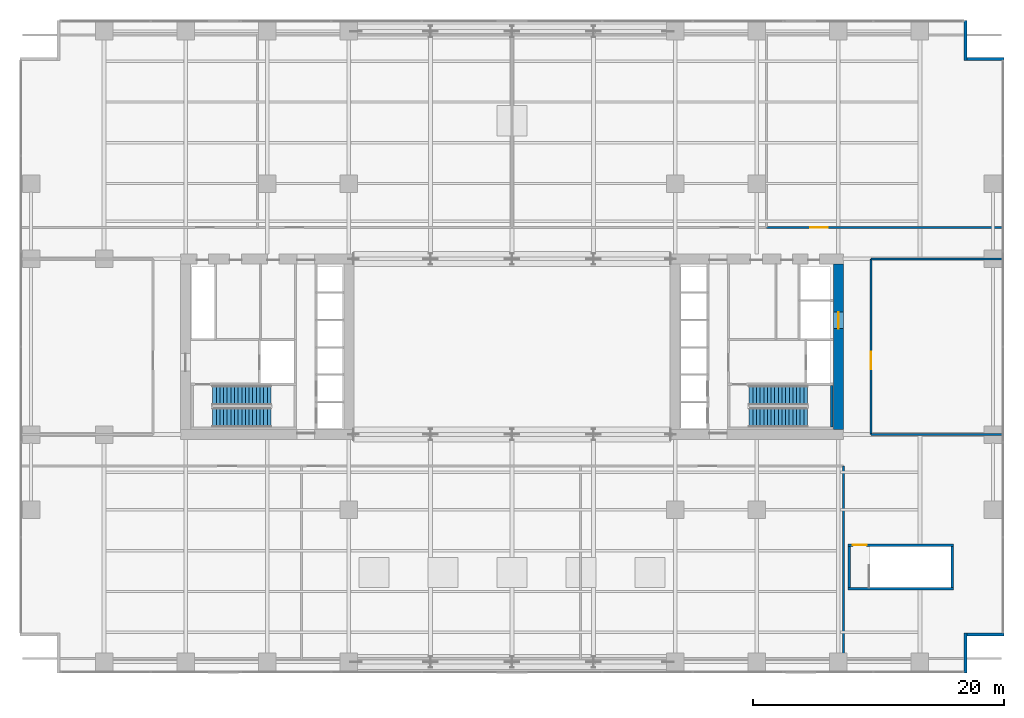
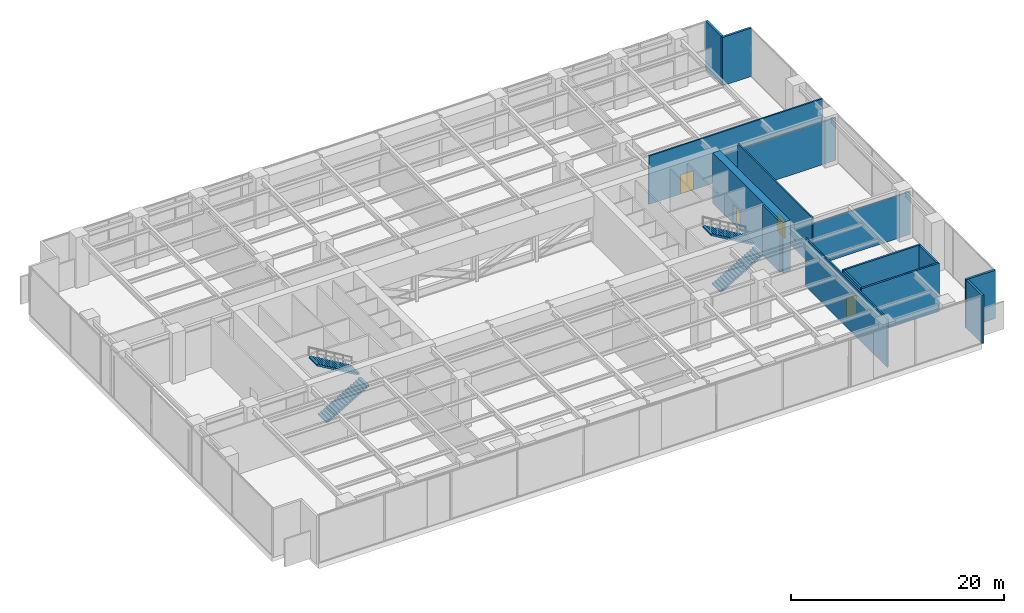
# One storey, part 22 of 25: 15 walls, 4 doors, 4 stair flights, 4 openings, 2 elements without a shape of their own.
"""IFC4 building model written with IfcOpenShell, lengths in metres."""

from ifc_helpers import new_model, si_unit, direction, frame, frame_2d, origin, place, context, subcontext, project, spatial, polyline, rectangle, outline, extrude, material, layer, layer_set, type_object, element, fill, aggregate, save


model = new_model("IFC4")

# Units and contexts
model_context = context("Model", 3, precision=1e-05, world=origin(), true_north=direction((0.0, 1.0)))
body_context = subcontext(model_context, "Body", "Model", "MODEL_VIEW")
ifc_project = project(units=[si_unit("LENGTHUNIT", "METRE"), si_unit("AREAUNIT", "SQUARE_METRE"), si_unit("VOLUMEUNIT", "CUBIC_METRE"), si_unit("PLANEANGLEUNIT", "RADIAN"), si_unit("MASSUNIT", "GRAM", prefix="KILO")], contexts=[model_context])

# Site, building, storey
site_placement = place(None, origin())
site = spatial("IfcSite", under=ifc_project, at=site_placement, CompositionType="ELEMENT")
building_placement = place(site_placement, origin())
building = spatial("IfcBuilding", under=site, at=building_placement, Name="Putna Gate Headquarters", CompositionType="ELEMENT")
storey_placement = place(building_placement, frame((0.0, 0.0, 22.0)))
storey = spatial("IfcBuildingStorey", under=building, at=storey_placement, Name="L04", CompositionType="ELEMENT", Elevation=22.0)

# Wall, opening, door
ifc_material_1 = material(Name="Concrete C60/75", Category="concrete")
ifc_layer_1 = layer(ifc_material_1, 0.800048828125)
ifc_layer_set_1 = layer_set([ifc_layer_1], Name="Concrete C60/75")
wall_type_1 = type_object("IfcWallType", Name="WALL-CORE-800", PredefinedType="SHEAR", material=ifc_layer_set_1)
wall_1_placement = place(storey_placement, frame((65.0, 19.39990234375, 0.0), z_axis=(0.0, 0.0, 1.0), x_axis=(0.0, 1.0, 0.0)))
wall_1 = element("IfcWall", 1, at=wall_1_placement, inside=storey, type_object=wall_type_1, Name="L04 EC Split Core Shear Wall E", PredefinedType="SHEAR", context=body_context, shape_type="SweptSolid", body=[
    extrude(rectangle(XDim=13.2001953125, YDim=0.800048828125, at=frame_2d((6.60009765625, 0.0))), origin(), (0.0, 0.0, 1.0), 5.800048828125),
])
opening_1_placement = place(wall_1_placement, frame((8.050048828125, 0.0, 0.0)))
opening_1 = element("IfcOpeningElement", 2, at=opening_1_placement, cuts=wall_1, Name="Opening LD-2", PredefinedType="OPENING", context=body_context, shape_type="SweptSolid", body=[
    extrude(rectangle(XDim=1.300048828125, YDim=2.199951171875, at=frame_2d((0.64990234375, 1.10009765625))), frame((0.0, 0.409912109375, 0.0), z_axis=(0.0, -1.0, 0.0), x_axis=(1.0, 0.0, 0.0)), (0.0, 0.0, 1.0), 0.820068359375),
])
ifc_material_2 = material(Name="Heavy-duty goods lift sliding landing door")
door_type_1 = type_object("IfcDoorType", Name="DOOR-LIFT-1300", OperationType="DOUBLE_DOOR_SLIDING", PredefinedType="DOOR", material=ifc_material_2)
door_1_placement = place(opening_1_placement, origin())
door_1 = element("IfcDoor", 3, at=door_1_placement, inside=storey, type_object=door_type_1, Name="L04 Goods Lift Landing Door LD-15", OperationType="DOUBLE_DOOR_SLIDING", OverallHeight=2.199951171875, OverallWidth=1.300048828125, PredefinedType="DOOR", context=body_context, shape_type="SweptSolid", body=[
    extrude(rectangle(XDim=1.300048828125, YDim=2.199951171875, at=frame_2d((0.64990234375, 1.10009765625))), frame((0.0, 0.02490234375, 0.0), z_axis=(0.0, -1.0, 0.0), x_axis=(1.0, 0.0, 0.0)), (0.0, 0.0, 1.0), 0.050048828125),
])
fill(opening_1, door_1)

# Walls
ifc_material_3 = material(Name="Precast concrete C40/50", Category="concrete")
ifc_layer_2 = layer(ifc_material_3, 0.239990234375)
ifc_layer_set_2 = layer_set([ifc_layer_2], Name="Precast concrete C40/50")
wall_type_2 = type_object("IfcWallType", Name="WALL-EXT-TERR-240", PredefinedType="STANDARD", material=ifc_layer_set_2)
for number, where, z_axis, x_axis, name in (
    (4, (75.1201171875, 52.0, 0.0), (0.0, 0.0, 1.0), (0.0, -1.0, 0.0), "L04 Corner Notch Return Wall NE-V"),
    (5, (75.0, 48.919921875, 0.0), (0.0, 0.0, 1.0), (1.0, 0.0, 0.0), "L04 Corner Notch Return Wall NE-H"),
    (6, (75.1201171875, 3.199951171875, 0.0), (0.0, 0.0, 1.0), (0.0, -1.0, 0.0), "L04 Corner Notch Return Wall SE-V"),
    (7, (78.199951171875, 3.080078125, 0.0), (0.0, 0.0, 1.0), (-1.0, 0.0, 0.0), "L04 Corner Notch Return Wall SE-H"),
):
    element("IfcWall", number, at=place(storey_placement, frame(where, z_axis=z_axis, x_axis=x_axis)), inside=storey, type_object=wall_type_2, Name=name, PredefinedType="STANDARD", context=body_context, shape_type="SweptSolid", body=[
        extrude(rectangle(XDim=3.199951171875, YDim=0.239990234375, at=frame_2d((1.60009765625, 0.0))), origin(), (0.0, 0.0, 1.0), 5.550048828125),
    ])

# Wall, opening, door
ifc_material_4 = material(Name="Concrete C40/50", Category="concrete")
ifc_layer_3 = layer(ifc_material_4, 0.159912109375)
ifc_layer_set_3 = layer_set([ifc_layer_3], Name="Concrete C40/50")
wall_type_3 = type_object("IfcWallType", Name="WALL-SHAFT-160", PredefinedType="STANDARD", material=ifc_layer_set_3)
wall_2_placement = place(storey_placement, frame((67.60009765625, 19.0, 0.0), z_axis=(0.0, 0.0, 1.0), x_axis=(0.0, 1.0, 0.0)))
wall_2 = element("IfcWall", 8, at=wall_2_placement, inside=storey, type_object=wall_type_3, Name="L04 Interior Wall PART-L04-REFE", PredefinedType="STANDARD", context=body_context, shape_type="SweptSolid", body=[
    extrude(rectangle(XDim=14.0, YDim=0.159912109375, at=frame_2d((7.0, 0.0))), origin(), (0.0, 0.0, 1.0), 5.550048828125),
])
opening_2_placement = place(wall_2_placement, frame((5.199951171875, 0.0, 0.0)))
opening_2 = element("IfcOpeningElement", 9, at=opening_2_placement, cuts=wall_2, Name="Opening FDD-140", PredefinedType="OPENING", context=body_context, shape_type="SweptSolid", body=[
    extrude(rectangle(XDim=1.39990234375, YDim=2.199951171875, at=frame_2d((0.699951171875, 1.10009765625))), frame((0.0, 0.08984375, 0.0), z_axis=(0.0, -1.0, 0.0), x_axis=(1.0, 0.0, 0.0)), (0.0, 0.0, 1.0), 0.179931640625),
])
ifc_material_5 = material(Name="Double steel fire door", Category="steel")
door_type_2 = type_object("IfcDoorType", Name="DOOR-FIRE-DBL-1400", OperationType="DOUBLE_DOOR_SINGLE_SWING", PredefinedType="DOOR", material=ifc_material_5)
door_2_placement = place(opening_2_placement, origin())
door_2 = element("IfcDoor", 10, at=door_2_placement, inside=storey, type_object=door_type_2, Name="L04 East Refuge Area Door", OperationType="DOUBLE_DOOR_SINGLE_SWING", OverallHeight=2.199951171875, OverallWidth=1.39990234375, PredefinedType="DOOR", context=body_context, shape_type="SweptSolid", body=[
    extrude(rectangle(XDim=1.39990234375, YDim=2.199951171875, at=frame_2d((0.699951171875, 1.10009765625))), frame((0.0, 0.02490234375, 0.0), z_axis=(0.0, -1.0, 0.0), x_axis=(1.0, 0.0, 0.0)), (0.0, 0.0, 1.0), 0.050048828125),
])
fill(opening_2, door_2)

# Walls
for number, where, z_axis, x_axis, name in (
    (11, (67.60009765625, 19.0, 0.0), (0.0, 0.0, 1.0), (1.0, 0.0, 0.0), "L04 Interior Wall PART-L04-REFE-S"),
    (12, (67.60009765625, 33.0, 0.0), (0.0, 0.0, 1.0), (1.0, 0.0, 0.0), "L04 Interior Wall PART-L04-REFE-N"),
):
    element("IfcWall", number, at=place(storey_placement, frame(where, z_axis=z_axis, x_axis=x_axis)), inside=storey, type_object=wall_type_3, Name=name, PredefinedType="STANDARD", context=body_context, shape_type="SweptSolid", body=[
        extrude(rectangle(XDim=10.579833984375, YDim=0.159912109375, at=frame_2d((5.2900390625, 0.0))), origin(), (0.0, 0.0, 1.0), 4.89990234375),
    ])

# Wall, opening, door
wall_3_placement = place(storey_placement, frame((59.290283203125, 35.5, 0.0), z_axis=(0.0, 0.0, 1.0), x_axis=(1.0, 0.0, 0.0)))
wall_3 = element("IfcWall", 13, at=wall_3_placement, inside=storey, type_object=wall_type_3, Name="L04 Interior Wall PART-L04-PN-CW4", PredefinedType="STANDARD", context=body_context, shape_type="SweptSolid", body=[
    extrude(rectangle(XDim=18.8896484375, YDim=0.159912109375, at=frame_2d((9.44482421875, 0.0))), origin(), (0.0, 0.0, 1.0), 5.550048828125),
])
opening_3_placement = place(wall_3_placement, frame((3.454833984375, 0.0, 0.0)))
opening_3 = element("IfcOpeningElement", 14, at=opening_3_placement, cuts=wall_3, Name="Opening FDD-140", PredefinedType="OPENING", context=body_context, shape_type="SweptSolid", body=[
    extrude(rectangle(XDim=1.39990234375, YDim=2.199951171875, at=frame_2d((0.699951171875, 1.10009765625))), frame((0.0, 0.08984375, 0.0), z_axis=(0.0, -1.0, 0.0), x_axis=(1.0, 0.0, 0.0)), (0.0, 0.0, 1.0), 0.179931640625),
])
door_3_placement = place(opening_3_placement, origin())
door_3 = element("IfcDoor", 15, at=door_3_placement, inside=storey, type_object=door_type_2, Name="L04 BMS and Telecoms Control Plant Room Door", OperationType="DOUBLE_DOOR_SINGLE_SWING", OverallHeight=2.199951171875, OverallWidth=1.39990234375, PredefinedType="DOOR", context=body_context, shape_type="SweptSolid", body=[
    extrude(rectangle(XDim=1.39990234375, YDim=2.199951171875, at=frame_2d((0.699951171875, 1.10009765625))), frame((0.0, 0.02490234375, 0.0), z_axis=(0.0, -1.0, 0.0), x_axis=(1.0, 0.0, 0.0)), (0.0, 0.0, 1.0), 0.050048828125),
])
fill(opening_3, door_3)

# Walls
wall_4_placement = place(storey_placement, frame((65.419921875, 1.090087890625, 0.0), z_axis=(0.0, 0.0, 1.0), x_axis=(0.0, 1.0, 0.0)))
element("IfcWall", 16, at=wall_4_placement, inside=storey, type_object=wall_type_3, Name="L04 Interior Wall PART-L04-PS-EAST", PredefinedType="STANDARD", context=body_context, shape_type="SweptSolid", body=[
    extrude(rectangle(XDim=15.409912109375, YDim=0.159912109375, at=frame_2d((7.705078125, 0.0))), origin(), (0.0, 0.0, 1.0), 5.550048828125),
])
ifc_layer_4 = layer(ifc_material_4, 0.199951171875)
ifc_layer_set_4 = layer_set([ifc_layer_4], Name="Concrete C40/50")
wall_type_4 = type_object("IfcWallType", Name="WALL-SHAFT-RC200", PredefinedType="SHEAR", material=ifc_layer_set_4)
wall_5_placement = place(storey_placement, frame((64.489990234375, 19.610107421875, 0.0), z_axis=(0.0, 0.0, 1.0), x_axis=(0.0, 1.0, 0.0)))
element("IfcWall", 17, at=wall_5_placement, inside=storey, type_object=wall_type_4, Name="L04 Stair ST2 Structural Shaft Wall E", PredefinedType="SHEAR", context=body_context, shape_type="SweptSolid", body=[
    extrude(rectangle(XDim=3.27978515625, YDim=0.199951171875, at=frame_2d((1.639892578125, 0.0))), origin(), (0.0, 0.0, 1.0), 5.800048828125),
])
wall_6_placement = place(storey_placement, frame((65.760009765625, 6.7099609375, 0.0), z_axis=(0.0, 0.0, 1.0), x_axis=(1.0, 0.0, 0.0)))
element("IfcWall", 18, at=wall_6_placement, inside=storey, type_object=wall_type_4, Name="L04 Stair ST3 Structural Shaft Wall S", PredefinedType="SHEAR", context=body_context, shape_type="SweptSolid", body=[
    extrude(rectangle(XDim=8.429931640625, YDim=0.199951171875, at=frame_2d((4.21484375, 0.0))), origin(), (0.0, 0.0, 1.0), 5.550048828125),
])

# Wall, opening, door
wall_7_placement = place(storey_placement, frame((65.760009765625, 10.18994140625, 0.0), z_axis=(0.0, 0.0, 1.0), x_axis=(1.0, 0.0, 0.0)))
wall_7 = element("IfcWall", 19, at=wall_7_placement, inside=storey, type_object=wall_type_4, Name="L04 Stair ST3 Structural Shaft Wall N", PredefinedType="SHEAR", context=body_context, shape_type="SweptSolid", body=[
    extrude(rectangle(XDim=8.429931640625, YDim=0.199951171875, at=frame_2d((4.21484375, 0.0))), origin(), (0.0, 0.0, 1.0), 5.550048828125),
])
opening_4_placement = place(wall_7_placement, frame((0.39990234375, 0.0, 0.0)))
opening_4 = element("IfcOpeningElement", 20, at=opening_4_placement, cuts=wall_7, Name="Opening FD-110", PredefinedType="OPENING", context=body_context, shape_type="SweptSolid", body=[
    extrude(rectangle(XDim=1.10009765625, YDim=2.14990234375, at=frame_2d((0.550048828125, 1.074951171875))), frame((0.0, 0.10986328125, 0.0), z_axis=(0.0, -1.0, 0.0), x_axis=(1.0, 0.0, 0.0)), (0.0, 0.0, 1.0), 0.219970703125),
])
ifc_material_6 = material(Name="Powder-coated steel fire door", Category="steel")
door_type_3 = type_object("IfcDoorType", Name="DOOR-FIRE-1100", OperationType="NOTDEFINED", PredefinedType="DOOR", material=ifc_material_6)
door_4_placement = place(opening_4_placement, origin())
door_4 = element("IfcDoor", 21, at=door_4_placement, inside=storey, type_object=door_type_3, Name="L04 Escape Stair ST3 Door", OperationType="SINGLE_SWING_RIGHT", OverallHeight=2.14990234375, OverallWidth=1.10009765625, PredefinedType="DOOR", context=body_context, shape_type="SweptSolid", body=[
    extrude(rectangle(XDim=1.10009765625, YDim=2.14990234375, at=frame_2d((0.550048828125, 1.074951171875))), frame((0.0, 0.02490234375, 0.0), z_axis=(0.0, -1.0, 0.0), x_axis=(1.0, 0.0, 0.0)), (0.0, 0.0, 1.0), 0.050048828125),
])
fill(opening_4, door_4)

# Walls
for number, where, z_axis, x_axis, name in (
    (22, (65.860107421875, 6.81005859375, 0.0), (0.0, 0.0, 1.0), (0.0, 1.0, 0.0), "L04 Stair ST3 Structural Shaft Wall W"),
    (23, (74.090087890625, 6.81005859375, 0.0), (0.0, 0.0, 1.0), (0.0, 1.0, 0.0), "L04 Stair ST3 Structural Shaft Wall E"),
):
    element("IfcWall", number, at=place(storey_placement, frame(where, z_axis=z_axis, x_axis=x_axis)), inside=storey, type_object=wall_type_4, Name=name, PredefinedType="SHEAR", context=body_context, shape_type="SweptSolid", body=[
        extrude(rectangle(XDim=3.280029296875, YDim=0.199951171875, at=frame_2d((1.64013671875, 0.0))), origin(), (0.0, 0.0, 1.0), 5.550048828125),
    ])

# Stair, stair flights
stair_type_1 = type_object("IfcStairType", Name="STAIR-ST1", PredefinedType="HALF_TURN_STAIR", material=ifc_material_4)
stair_1_placement = place(storey_placement, origin())
stair_1 = element("IfcStair", 24, at=stair_1_placement, inside=storey, type_object=stair_type_1, Name="L04 West Core Exit Stair ST1", PredefinedType="HALF_TURN_STAIR")
stair_flight_type_1 = type_object("IfcStairFlightType", Name="FLIGHT-ST1", PredefinedType="STRAIGHT", material=ifc_material_4)
stair_flight_1_placement = place(storey_placement, frame((15.14990234375, 20.375, 0.0), z_axis=(0.0, 0.0, 1.0), x_axis=(1.0, 0.0, 0.0)))
stair_flight_1 = element("IfcStairFlight", 25, at=stair_flight_1_placement, type_object=stair_flight_type_1, Name="ST1 flight 1", NumberOfRisers=17, NumberOfTreads=16, PredefinedType="STRAIGHT", RiserHeight=0.170588235, TreadLength=0.29, context=body_context, shape_type="SweptSolid", body=[
    extrude(outline(polyline([(0.0, 0.0), (0.0, 0.170654296875), (0.2900390625, 0.170654296875), (0.2900390625, 0.341064453125), (0.580078125, 0.341064453125), (0.580078125, 0.51171875), (0.8701171875, 0.51171875), (0.8701171875, 0.682373046875), (1.159912109375, 0.682373046875), (1.159912109375, 0.85302734375), (1.449951171875, 0.85302734375), (1.449951171875, 1.0234375), (1.739990234375, 1.0234375), (1.739990234375, 1.194091796875), (2.030029296875, 1.194091796875), (2.030029296875, 1.36474609375), (2.320068359375, 1.36474609375), (2.320068359375, 1.535400390625), (2.610107421875, 1.535400390625), (2.610107421875, 1.705810546875), (2.89990234375, 1.705810546875), (2.89990234375, 1.87646484375), (3.18994140625, 1.87646484375), (3.18994140625, 2.047119140625), (3.47998046875, 2.047119140625), (3.47998046875, 2.217529296875), (3.77001953125, 2.217529296875), (3.77001953125, 2.38818359375), (4.06005859375, 2.38818359375), (4.06005859375, 2.558837890625), (4.35009765625, 2.558837890625), (4.35009765625, 2.7294921875), (4.639892578125, 2.7294921875), (4.639892578125, 2.89990234375), (4.639892578125, 2.555419921875), (0.295654296875, 0.0), (0.0, 0.0)])), frame((0.0, 0.77490234375, 0.0), z_axis=(0.0, -1.0, 0.0), x_axis=(1.0, 0.0, 0.0)), (0.0, 0.0, 1.0), 1.550048828125),
])
stair_flight_2_placement = place(storey_placement, frame((19.7900390625, 22.125, 2.89990234375), z_axis=(0.0, 0.0, 1.0), x_axis=(-1.0, 0.0, 0.0)))
stair_flight_2 = element("IfcStairFlight", 26, at=stair_flight_2_placement, type_object=stair_flight_type_1, Name="ST1 flight 2", NumberOfRisers=17, NumberOfTreads=16, PredefinedType="STRAIGHT", RiserHeight=0.170588235, TreadLength=0.29, context=body_context, shape_type="SweptSolid", body=[
    extrude(outline(polyline([(0.0, 0.0), (0.0, 0.170654296875), (0.2900390625, 0.170654296875), (0.2900390625, 0.341064453125), (0.580078125, 0.341064453125), (0.580078125, 0.51171875), (0.8701171875, 0.51171875), (0.8701171875, 0.682373046875), (1.159912109375, 0.682373046875), (1.159912109375, 0.85302734375), (1.449951171875, 0.85302734375), (1.449951171875, 1.0234375), (1.739990234375, 1.0234375), (1.739990234375, 1.194091796875), (2.030029296875, 1.194091796875), (2.030029296875, 1.36474609375), (2.320068359375, 1.36474609375), (2.320068359375, 1.535400390625), (2.610107421875, 1.535400390625), (2.610107421875, 1.705810546875), (2.89990234375, 1.705810546875), (2.89990234375, 1.87646484375), (3.18994140625, 1.87646484375), (3.18994140625, 2.047119140625), (3.47998046875, 2.047119140625), (3.47998046875, 2.217529296875), (3.77001953125, 2.217529296875), (3.77001953125, 2.38818359375), (4.06005859375, 2.38818359375), (4.06005859375, 2.558837890625), (4.35009765625, 2.558837890625), (4.35009765625, 2.7294921875), (4.639892578125, 2.7294921875), (4.639892578125, 2.89990234375), (4.639892578125, 2.555419921875), (0.295654296875, 0.0), (0.0, 0.0)])), frame((0.0, 0.77490234375, 0.0), z_axis=(0.0, -1.0, 0.0), x_axis=(1.0, 0.0, 0.0)), (0.0, 0.0, 1.0), 1.550048828125),
])
aggregate(stair_1, [stair_flight_1, stair_flight_2])

stair_type_2 = type_object("IfcStairType", Name="STAIR-ST2", PredefinedType="HALF_TURN_STAIR", material=ifc_material_4)
stair_2_placement = place(storey_placement, origin())
stair_2 = element("IfcStair", 27, at=stair_2_placement, inside=storey, type_object=stair_type_2, Name="L04 East Core Exit Stair ST2", PredefinedType="HALF_TURN_STAIR")
stair_flight_type_2 = type_object("IfcStairFlightType", Name="FLIGHT-ST2", PredefinedType="STRAIGHT", material=ifc_material_4)
stair_flight_3_placement = place(storey_placement, frame((57.89990234375, 20.375, 0.0), z_axis=(0.0, 0.0, 1.0), x_axis=(1.0, 0.0, 0.0)))
stair_flight_3 = element("IfcStairFlight", 28, at=stair_flight_3_placement, type_object=stair_flight_type_2, Name="ST2 flight 1", NumberOfRisers=17, NumberOfTreads=16, PredefinedType="STRAIGHT", RiserHeight=0.170588235, TreadLength=0.29, context=body_context, shape_type="SweptSolid", body=[
    extrude(outline(polyline([(0.0, 0.0), (0.0, 0.170654296875), (0.2900390625, 0.170654296875), (0.2900390625, 0.341064453125), (0.580078125, 0.341064453125), (0.580078125, 0.51171875), (0.8701171875, 0.51171875), (0.8701171875, 0.682373046875), (1.159912109375, 0.682373046875), (1.159912109375, 0.85302734375), (1.449951171875, 0.85302734375), (1.449951171875, 1.0234375), (1.739990234375, 1.0234375), (1.739990234375, 1.194091796875), (2.030029296875, 1.194091796875), (2.030029296875, 1.36474609375), (2.320068359375, 1.36474609375), (2.320068359375, 1.535400390625), (2.610107421875, 1.535400390625), (2.610107421875, 1.705810546875), (2.89990234375, 1.705810546875), (2.89990234375, 1.87646484375), (3.18994140625, 1.87646484375), (3.18994140625, 2.047119140625), (3.47998046875, 2.047119140625), (3.47998046875, 2.217529296875), (3.77001953125, 2.217529296875), (3.77001953125, 2.38818359375), (4.06005859375, 2.38818359375), (4.06005859375, 2.558837890625), (4.35009765625, 2.558837890625), (4.35009765625, 2.7294921875), (4.639892578125, 2.7294921875), (4.639892578125, 2.89990234375), (4.639892578125, 2.555419921875), (0.295654296875, 0.0), (0.0, 0.0)])), frame((0.0, 0.77490234375, 0.0), z_axis=(0.0, -1.0, 0.0), x_axis=(1.0, 0.0, 0.0)), (0.0, 0.0, 1.0), 1.550048828125),
])
stair_flight_4_placement = place(storey_placement, frame((62.5400390625, 22.125, 2.89990234375), z_axis=(0.0, 0.0, 1.0), x_axis=(-1.0, 0.0, 0.0)))
stair_flight_4 = element("IfcStairFlight", 29, at=stair_flight_4_placement, type_object=stair_flight_type_2, Name="ST2 flight 2", NumberOfRisers=17, NumberOfTreads=16, PredefinedType="STRAIGHT", RiserHeight=0.170588235, TreadLength=0.29, context=body_context, shape_type="SweptSolid", body=[
    extrude(outline(polyline([(0.0, 0.0), (0.0, 0.170654296875), (0.2900390625, 0.170654296875), (0.2900390625, 0.341064453125), (0.580078125, 0.341064453125), (0.580078125, 0.51171875), (0.8701171875, 0.51171875), (0.8701171875, 0.682373046875), (1.159912109375, 0.682373046875), (1.159912109375, 0.85302734375), (1.449951171875, 0.85302734375), (1.449951171875, 1.0234375), (1.739990234375, 1.0234375), (1.739990234375, 1.194091796875), (2.030029296875, 1.194091796875), (2.030029296875, 1.36474609375), (2.320068359375, 1.36474609375), (2.320068359375, 1.535400390625), (2.610107421875, 1.535400390625), (2.610107421875, 1.705810546875), (2.89990234375, 1.705810546875), (2.89990234375, 1.87646484375), (3.18994140625, 1.87646484375), (3.18994140625, 2.047119140625), (3.47998046875, 2.047119140625), (3.47998046875, 2.217529296875), (3.77001953125, 2.217529296875), (3.77001953125, 2.38818359375), (4.06005859375, 2.38818359375), (4.06005859375, 2.558837890625), (4.35009765625, 2.558837890625), (4.35009765625, 2.7294921875), (4.639892578125, 2.7294921875), (4.639892578125, 2.89990234375), (4.639892578125, 2.555419921875), (0.295654296875, 0.0), (0.0, 0.0)])), frame((0.0, 0.77490234375, 0.0), z_axis=(0.0, -1.0, 0.0), x_axis=(1.0, 0.0, 0.0)), (0.0, 0.0, 1.0), 1.550048828125),
])
aggregate(stair_2, [stair_flight_3, stair_flight_4])

save(model, "model.ifc")
